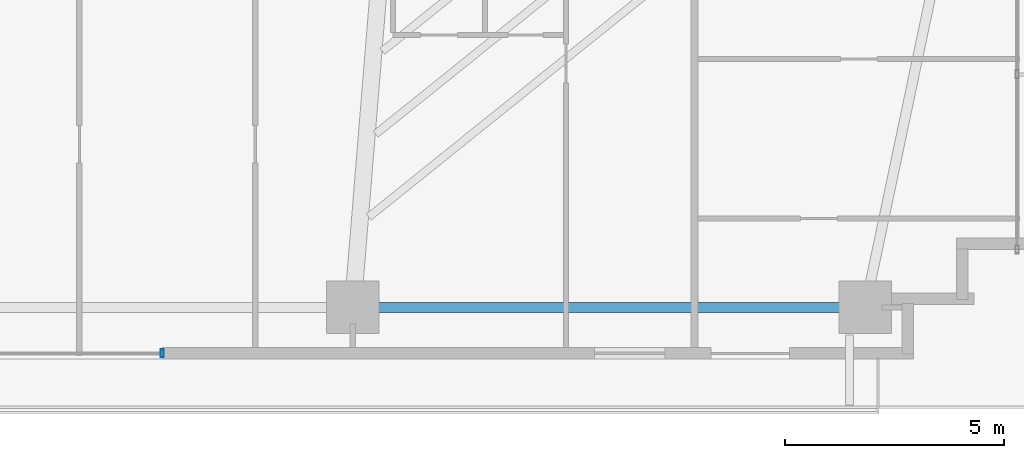
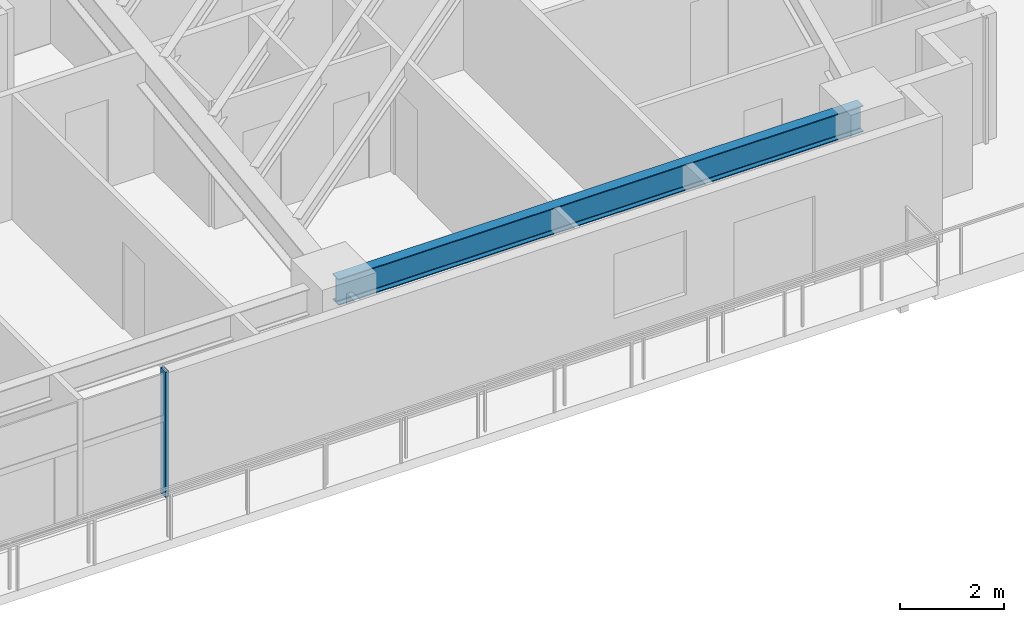
# One storey, part 12 of 26: 1 beam, 1 member, 1 element without a shape of its own.
"""IFC4 building model written with IfcOpenShell, lengths in metres."""

from ifc_helpers import new_model, si_unit, direction, frame, origin, origin_2d, place, context, subcontext, project, spatial, hollow_rectangle, i_section, extrude, source, transform, mapped, material, material_profile, profile_set, type_object, type_shapes, element, aggregate, save


model = new_model("IFC4")

# Units and contexts
model_context = context("Model", 3, precision=1e-05, world=origin(), true_north=direction((0.0, 1.0)))
body_context = subcontext(model_context, "Body", "Model", "MODEL_VIEW")
ifc_project = project(units=[si_unit("LENGTHUNIT", "METRE"), si_unit("AREAUNIT", "SQUARE_METRE"), si_unit("VOLUMEUNIT", "CUBIC_METRE"), si_unit("PLANEANGLEUNIT", "RADIAN"), si_unit("MASSUNIT", "GRAM", prefix="KILO")], contexts=[model_context])

# Site, building, storey
site_placement = place(None, origin())
site = spatial("IfcSite", under=ifc_project, at=site_placement, CompositionType="ELEMENT")
building_placement = place(site_placement, origin())
building = spatial("IfcBuilding", under=site, at=building_placement, Name="Astriad Promenade Condominiums", CompositionType="ELEMENT")
storey_placement = place(building_placement, frame((0.0, 0.0, 23.0)))
storey = spatial("IfcBuildingStorey", under=building, at=storey_placement, Name="L05", CompositionType="ELEMENT", Elevation=23.0)

# Beam
ifc_material_1 = material(Name="Steel ASTM A992 Grade 50", Category="steel")
ifc_material_profile_1 = material_profile(ifc_material_1, i_section(OverallWidth=0.22900390625, OverallDepth=0.612060546875, WebThickness=0.011962890625, FlangeThickness=0.01953125, FilletRadius=0.017822265625, at=origin_2d()), Name="W24X84")
ifc_profile_set_1 = profile_set([ifc_material_profile_1], Name="Steel ASTM A992 Grade 50")
beam_type = type_object("IfcBeamType", Name="STEEL SPANDREL BEAM W24X84", PredefinedType="SPANDREL", material=ifc_profile_set_1)
shared_shape_1 = source(origin(), body_context, "Body", "SweptSolid", [
    extrude(i_section(OverallWidth=0.22900390625, OverallDepth=0.612060546875, WebThickness=0.011962890625, FlangeThickness=0.01953125, FilletRadius=0.017822265625, at=origin_2d()), origin(), (0.0, 0.0, 1.0), 11.619873046875),
])
type_shapes(beam_type, [shared_shape_1])
beam_placement = place(storey_placement, frame((44.5400390625, 3.8798828125, 2.634033203125), z_axis=(1.0, 0.0, 0.0), x_axis=(0.0, 1.0, 0.0)))
element("IfcBeam", 1, at=beam_placement, inside=storey, type_object=beam_type, Name="Perimeter Spandrel Beam SP-S4-L05", PredefinedType="SPANDREL", context=body_context, shape_type="MappedRepresentation", body=[
    mapped(shared_shape_1, transform((0.0, 0.0, 0.0), scale=1.0)),
])

# Curtain wall, member
ifc_material_2 = material(Name="Anodised aluminium Black Dark Glass Unitised", Category="aluminium")
curtain_wall_type = type_object("IfcCurtainWallType", Name="CW-B1-DARK", PredefinedType="USERDEFINED", material=ifc_material_2)
curtain_wall_placement = place(storey_placement, origin())
curtain_wall = element("IfcCurtainWall", 2, at=curtain_wall_placement, inside=storey, type_object=curtain_wall_type, Name="CW-L05-S", ObjectType="UNITISED_CURTAIN_WALL", PredefinedType="USERDEFINED")
ifc_material_3 = material(Name="Anodised aluminium 6063-T6 Black", Category="aluminium")
ifc_material_profile_2 = material_profile(ifc_material_3, hollow_rectangle(XDim=0.074951171875, YDim=0.18505859375, WallThickness=0.00439453125, at=origin_2d()), Name="ALU-MUL-75X185")
ifc_profile_set_2 = profile_set([ifc_material_profile_2], Name="Anodised aluminium 6063-T6 Black")
member_type = type_object("IfcMemberType", Name="MUL-ALU-MUL-75X185", PredefinedType="MULLION", material=ifc_profile_set_2)
shared_shape_2 = source(origin(), body_context, "Body", "SweptSolid", [
    extrude(hollow_rectangle(XDim=0.074951171875, YDim=0.18505859375, WallThickness=0.00439453125, at=origin_2d()), origin(), (0.0, 0.0, 1.0), 2.93994140625),
])
type_shapes(member_type, [shared_shape_2])
member_placement = place(storey_placement, frame((40.14990234375, 2.830078125, 0.0), z_axis=(0.0, 0.0, 1.0), x_axis=(1.0, 0.0, 0.0)))
member = element("IfcMember", 3, at=member_placement, type_object=member_type, Name="CW-L05-S-MUL-00", PredefinedType="MULLION", context=body_context, shape_type="MappedRepresentation", body=[
    mapped(shared_shape_2, transform((0.0, 0.0, 0.0), scale=1.0)),
])
aggregate(curtain_wall, [member])

save(model, "model.ifc")
